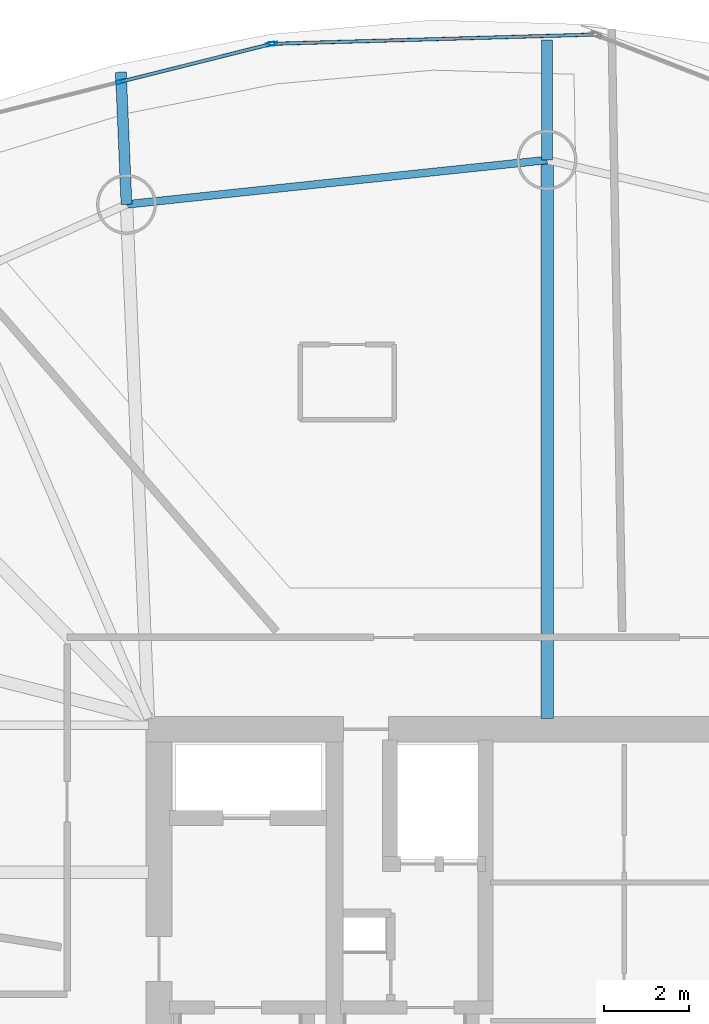
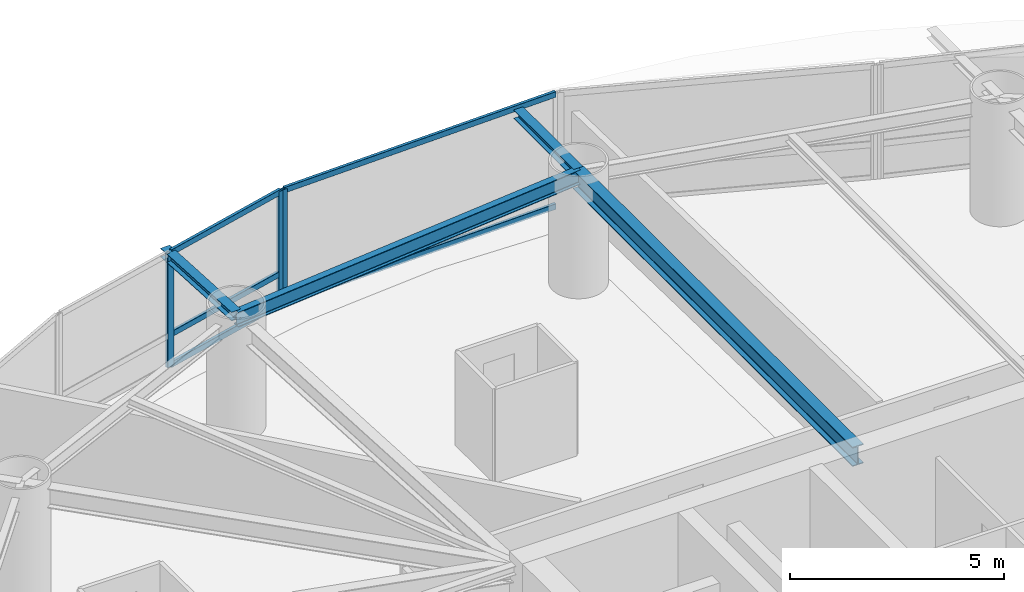
# One storey, part 9 of 20: 8 members, 4 beams, 2 elements without a shape of their own.
"""IFC4 building model written with IfcOpenShell, lengths in metres."""

from ifc_helpers import new_model, si_unit, direction, frame, origin, origin_2d, place, context, subcontext, project, spatial, hollow_rectangle, i_section, extrude, material, layer, layer_set, material_profile, profile_set, type_object, element, aggregate, save


model = new_model("IFC4")

# Units and contexts
model_context = context("Model", 3, precision=1e-05, world=origin(), true_north=direction((0.0, 1.0)))
body_context = subcontext(model_context, "Body", "Model", "MODEL_VIEW")
ifc_project = project(units=[si_unit("LENGTHUNIT", "METRE"), si_unit("AREAUNIT", "SQUARE_METRE"), si_unit("VOLUMEUNIT", "CUBIC_METRE"), si_unit("PLANEANGLEUNIT", "RADIAN"), si_unit("MASSUNIT", "GRAM", prefix="KILO")], contexts=[model_context])

# Site, building, storey
site_placement = place(None, origin())
site = spatial("IfcSite", under=ifc_project, at=site_placement, CompositionType="ELEMENT")
building_placement = place(site_placement, origin())
building = spatial("IfcBuilding", under=site, at=building_placement, Name="Bramvorn Convention Spire", CompositionType="ELEMENT")
storey_placement = place(building_placement, frame((0.0, 0.0, 113.300048828125)))
storey = spatial("IfcBuildingStorey", under=building, at=storey_placement, Name="L27", CompositionType="ELEMENT", Elevation=113.300048828125)

# Beams
ifc_material_1 = material(Name="Steel CSA G40.21 Grade 350 (350W)", Category="steel")
ifc_material_profile_1 = material_profile(ifc_material_1, i_section(OverallWidth=0.25390625, OverallDepth=0.2529296875, WebThickness=0.008544921875, FlangeThickness=0.01416015625, FilletRadius=0.011962890625, at=origin_2d()))
ifc_profile_set_1 = profile_set([ifc_material_profile_1], Name="Steel CSA G40.21 Grade 350 (350W) - W250X73")
beam_type_1 = type_object("IfcBeamType", Name="BM-W250X73", PredefinedType="BEAM", material=ifc_profile_set_1)
beam_1_placement = place(storey_placement, frame((36.075927734375, 46.517333984375, 3.133544921875), z_axis=(0.0, 1.0, 0.0), x_axis=(-1.0, 0.0, 0.0)))
element("IfcBeam", 1, at=beam_1_placement, inside=storey, type_object=beam_type_1, Name="L27 slab-edge cantilever tip beam MC06", PredefinedType="BEAM", context=body_context, shape_type="SweptSolid", body=[
    extrude(i_section(OverallWidth=0.25390625, OverallDepth=0.2529296875, WebThickness=0.008544921875, FlangeThickness=0.01416015625, FilletRadius=0.011962890625, at=origin_2d()), origin(), (0.0, 0.0, 1.0), 2.807373046875),
])
beam_2_placement = place(storey_placement, frame((26.23828125, 45.478759765625, 3.133544921875), z_axis=(-0.042496297388, 0.99909662431, 0.0), x_axis=(-0.99909662431, -0.042496297388, 0.0)))
element("IfcBeam", 2, at=beam_2_placement, inside=storey, type_object=beam_type_1, Name="L27 slab-edge cantilever tip beam MC07", PredefinedType="BEAM", context=body_context, shape_type="SweptSolid", body=[
    extrude(i_section(OverallWidth=0.25390625, OverallDepth=0.2529296875, WebThickness=0.008544921875, FlangeThickness=0.01416015625, FilletRadius=0.011962890625, at=origin_2d()), origin(), (0.0, 0.0, 1.0), 3.096435546875),
])
ifc_material_profile_2 = material_profile(ifc_material_1, i_section(OverallWidth=0.180908203125, OverallDepth=0.4169921875, WebThickness=0.010986328125, FlangeThickness=0.018310546875, FilletRadius=0.01611328125, at=origin_2d()))
ifc_profile_set_2 = profile_set([ifc_material_profile_2], Name="Steel CSA G40.21 Grade 350 (350W) - W410X85")
beam_type_2 = type_object("IfcBeamType", Name="BM-W410X85", PredefinedType="JOIST", material=ifc_profile_set_2)
beam_3_placement = place(storey_placement, frame((36.075927734375, 46.517333984375, 3.051513671875), z_axis=(-0.994473491975, -0.104987969596, 0.0), x_axis=(0.104987969596, -0.994473491975, 0.0)))
element("IfcBeam", 3, at=beam_3_placement, inside=storey, type_object=beam_type_2, Name="L27 mega-column ring beam 06", PredefinedType="JOIST", context=body_context, shape_type="SweptSolid", body=[
    extrude(i_section(OverallWidth=0.180908203125, OverallDepth=0.4169921875, WebThickness=0.010986328125, FlangeThickness=0.018310546875, FilletRadius=0.01611328125, at=origin_2d()), origin(), (0.0, 0.0, 1.0), 9.892333984375),
])
ifc_material_profile_3 = material_profile(ifc_material_1, i_section(OverallWidth=0.2919921875, OverallDepth=0.551025390625, WebThickness=0.01513671875, FlangeThickness=0.0244140625, FilletRadius=0.01904296875, at=origin_2d()))
ifc_profile_set_3 = profile_set([ifc_material_profile_3], Name="Steel CSA G40.21 Grade 350 (350W) - W530X182")
beam_type_3 = type_object("IfcBeamType", Name="BM-W530X182", PredefinedType="BEAM", material=ifc_profile_set_3)
beam_4_placement = place(storey_placement, frame((36.075927734375, 33.449951171875, 2.984375), z_axis=(0.0, 1.0, 0.0), x_axis=(-1.0, 0.0, 0.0)))
element("IfcBeam", 4, at=beam_4_placement, inside=storey, type_object=beam_type_3, Name="L27 radial floor girder MC06", PredefinedType="BEAM", context=body_context, shape_type="SweptSolid", body=[
    extrude(i_section(OverallWidth=0.2919921875, OverallDepth=0.551025390625, WebThickness=0.01513671875, FlangeThickness=0.0244140625, FilletRadius=0.01904296875, at=origin_2d()), origin(), (0.0, 0.0, 1.0), 13.0673828125),
])

# Curtain wall, member
ifc_material_2 = material(Name="Anodised Bronze Unitised Curtain Wall", Category="aluminium")
ifc_layer = layer(ifc_material_2, 0.179931640625)
ifc_layer_set = layer_set([ifc_layer], Name="Anodised Bronze Unitised Curtain Wall - CW-HTL-FRIT")
curtain_wall_type = type_object("IfcCurtainWallType", Name="CW-HTL-FRIT", PredefinedType="USERDEFINED", material=ifc_layer_set)
curtain_wall_1_placement = place(storey_placement, origin())
curtain_wall_1 = element("IfcCurtainWall", 5, at=curtain_wall_1_placement, inside=storey, type_object=curtain_wall_type, Name="L27 fritted glass curtain wall 08", ObjectType="UNITISED CURTAIN WALL", PredefinedType="USERDEFINED")
ifc_material_3 = material(Name="Anodised Bronze Aluminium 6063-T6", Category="aluminium")
ifc_material_profile_4 = material_profile(ifc_material_3, hollow_rectangle(XDim=0.080078125, YDim=0.199951171875, WallThickness=0.00390625, InnerFilletRadius=0.0009765625, OuterFilletRadius=0.00390625, at=origin_2d()))
ifc_profile_set_4 = profile_set([ifc_material_profile_4], Name="Anodised Bronze Aluminium 6063-T6 - CWM80X200")
member_type_1 = type_object("IfcMemberType", Name="CW-MUL-180", PredefinedType="MULLION", material=ifc_profile_set_4)
member_1_placement = place(storey_placement, frame((29.66552734375, 49.235107421875, 0.0), z_axis=(0.0, 0.0, 1.0), x_axis=(-0.028787957886, 0.999585540852, 0.0)))
member_1 = element("IfcMember", 6, at=member_1_placement, type_object=member_type_1, Name="CW2 mullion 1", PredefinedType="MULLION", context=body_context, shape_type="SweptSolid", body=[
    extrude(hollow_rectangle(XDim=0.080078125, YDim=0.199951171875, WallThickness=0.00390625, InnerFilletRadius=0.0009765625, OuterFilletRadius=0.00390625, at=origin_2d()), origin(), (0.0, 0.0, 1.0), 3.260009765625),
])

# Curtain wall, members
curtain_wall_2_placement = place(storey_placement, origin())
curtain_wall_2 = element("IfcCurtainWall", 7, at=curtain_wall_2_placement, inside=storey, type_object=curtain_wall_type, Name="L27 fritted glass curtain wall 09", ObjectType="UNITISED CURTAIN WALL", PredefinedType="USERDEFINED")
member_2_placement = place(storey_placement, frame((26.09912109375, 48.34765625, 0.0), z_axis=(0.0, 0.0, 1.0), x_axis=(-0.243203518497, 0.969975282464, 0.0)))
member_2 = element("IfcMember", 8, at=member_2_placement, type_object=member_type_1, Name="CW2 mullion 2", PredefinedType="MULLION", context=body_context, shape_type="SweptSolid", body=[
    extrude(hollow_rectangle(XDim=0.080078125, YDim=0.199951171875, WallThickness=0.00390625, InnerFilletRadius=0.0009765625, OuterFilletRadius=0.00390625, at=origin_2d()), origin(), (0.0, 0.0, 1.0), 3.260009765625),
])
member_3_placement = place(storey_placement, frame((29.6064453125, 49.22705078125, 0.0), z_axis=(0.0, 0.0, 1.0), x_axis=(-0.243203518497, 0.969975282464, 0.0)))
member_3 = element("IfcMember", 9, at=member_3_placement, type_object=member_type_1, Name="CW2 mullion 3", PredefinedType="MULLION", context=body_context, shape_type="SweptSolid", body=[
    extrude(hollow_rectangle(XDim=0.080078125, YDim=0.199951171875, WallThickness=0.00390625, InnerFilletRadius=0.0009765625, OuterFilletRadius=0.00390625, at=origin_2d()), origin(), (0.0, 0.0, 1.0), 3.260009765625),
])

# Member
ifc_material_profile_5 = material_profile(ifc_material_3, hollow_rectangle(XDim=0.080078125, YDim=0.159912109375, WallThickness=0.00390625, InnerFilletRadius=0.0009765625, OuterFilletRadius=0.00390625, at=origin_2d()))
ifc_profile_set_5 = profile_set([ifc_material_profile_5], Name="Anodised Bronze Aluminium 6063-T6 - CWT80X160")
member_type_2 = type_object("IfcMemberType", Name="CW-TRN-150", PredefinedType="USERDEFINED", material=ifc_profile_set_5)
member_4_placement = place(storey_placement, frame((29.695556640625, 49.236083984375, 0.030029296875), z_axis=(0.999585887823, 0.028775907719, 0.0), x_axis=(-0.028775907719, 0.999585887823, 0.0)))
member_4 = element("IfcMember", 10, at=member_4_placement, type_object=member_type_2, Name="CW2 transom 1.1", ObjectType="TRANSOM", PredefinedType="USERDEFINED", context=body_context, shape_type="SweptSolid", body=[
    extrude(hollow_rectangle(XDim=0.080078125, YDim=0.159912109375, WallThickness=0.00390625, InnerFilletRadius=0.0009765625, OuterFilletRadius=0.00390625, at=origin_2d()), origin(), (0.0, 0.0, 1.0), 7.44921875),
])

member_5_placement = place(storey_placement, frame((29.695556640625, 49.236083984375, 3.22998046875), z_axis=(0.999585887823, 0.028775907719, 0.0), x_axis=(-0.028775907719, 0.999585887823, 0.0)))
member_5 = element("IfcMember", 11, at=member_5_placement, type_object=member_type_2, Name="CW2 transom 1.2", ObjectType="TRANSOM", PredefinedType="USERDEFINED", context=body_context, shape_type="SweptSolid", body=[
    extrude(hollow_rectangle(XDim=0.080078125, YDim=0.159912109375, WallThickness=0.00390625, InnerFilletRadius=0.0009765625, OuterFilletRadius=0.00390625, at=origin_2d()), origin(), (0.0, 0.0, 1.0), 7.44921875),
])

aggregate(curtain_wall_1, [member_1, member_4, member_5])

member_6_placement = place(storey_placement, frame((26.128173828125, 48.35498046875, 0.030029296875), z_axis=(0.969980739955, 0.243181751198, 0.0), x_axis=(-0.243181751198, 0.969980739955, 0.0)))
member_6 = element("IfcMember", 12, at=member_6_placement, type_object=member_type_2, Name="CW2 transom 2.1", ObjectType="TRANSOM", PredefinedType="USERDEFINED", context=body_context, shape_type="SweptSolid", body=[
    extrude(hollow_rectangle(XDim=0.080078125, YDim=0.159912109375, WallThickness=0.00390625, InnerFilletRadius=0.0009765625, OuterFilletRadius=0.00390625, at=origin_2d()), origin(), (0.0, 0.0, 1.0), 3.555908203125),
])

member_7_placement = place(storey_placement, frame((26.128173828125, 48.35498046875, 0.89990234375), z_axis=(0.969980739955, 0.243181751198, 0.0), x_axis=(-0.243181751198, 0.969980739955, 0.0)))
member_7 = element("IfcMember", 13, at=member_7_placement, type_object=member_type_2, Name="CW2 transom 2.2", ObjectType="TRANSOM", PredefinedType="USERDEFINED", context=body_context, shape_type="SweptSolid", body=[
    extrude(hollow_rectangle(XDim=0.080078125, YDim=0.159912109375, WallThickness=0.00390625, InnerFilletRadius=0.0009765625, OuterFilletRadius=0.00390625, at=origin_2d()), origin(), (0.0, 0.0, 1.0), 3.555908203125),
])

member_8_placement = place(storey_placement, frame((26.128173828125, 48.35498046875, 3.22998046875), z_axis=(0.969980739955, 0.243181751198, 0.0), x_axis=(-0.243181751198, 0.969980739955, 0.0)))
member_8 = element("IfcMember", 14, at=member_8_placement, type_object=member_type_2, Name="CW2 transom 2.3", ObjectType="TRANSOM", PredefinedType="USERDEFINED", context=body_context, shape_type="SweptSolid", body=[
    extrude(hollow_rectangle(XDim=0.080078125, YDim=0.159912109375, WallThickness=0.00390625, InnerFilletRadius=0.0009765625, OuterFilletRadius=0.00390625, at=origin_2d()), origin(), (0.0, 0.0, 1.0), 3.555908203125),
])

aggregate(curtain_wall_2, [member_2, member_3, member_6, member_7, member_8])

save(model, "model.ifc")
